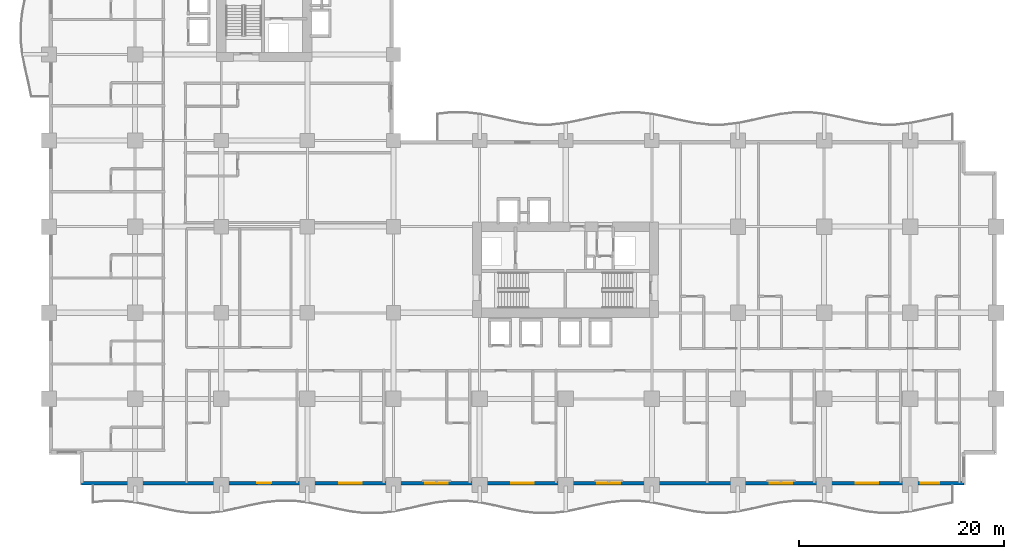
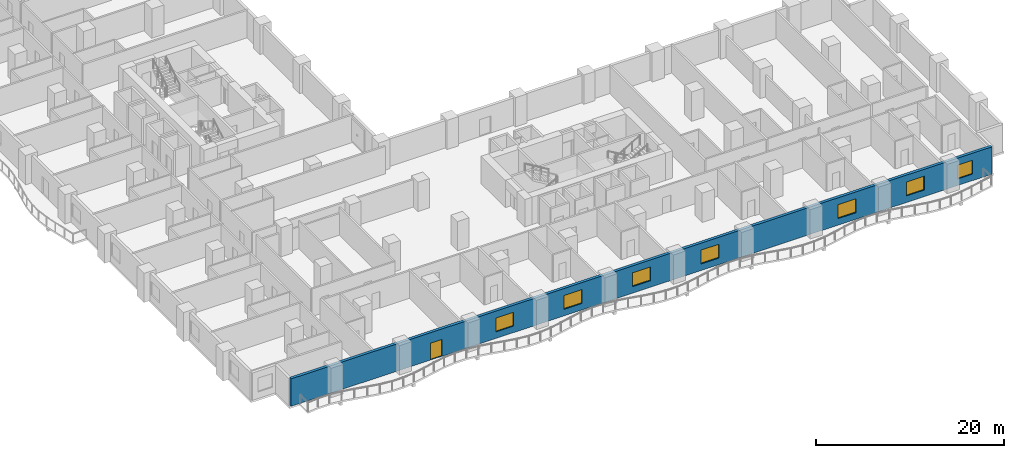
# One storey, part 5 of 20: 7 windows, 1 door, 1 wall, 8 openings.
"""IFC4 building model written with IfcOpenShell, lengths in metres."""

from ifc_helpers import new_model, si_unit, direction, frame, frame_2d, origin, place, context, subcontext, project, spatial, rectangle, extrude, material, layer, layer_set, type_object, element, fill, save


model = new_model("IFC4")

# Units and contexts
model_context = context("Model", 3, precision=1e-05, world=origin(), true_north=direction((0.0, 1.0)))
body_context = subcontext(model_context, "Body", "Model", "MODEL_VIEW")
ifc_project = project(units=[si_unit("LENGTHUNIT", "METRE"), si_unit("AREAUNIT", "SQUARE_METRE"), si_unit("VOLUMEUNIT", "CUBIC_METRE"), si_unit("PLANEANGLEUNIT", "RADIAN"), si_unit("MASSUNIT", "GRAM", prefix="KILO")], contexts=[model_context])

# Site, building, storey
site_placement = place(None, origin())
site = spatial("IfcSite", under=ifc_project, at=site_placement, CompositionType="ELEMENT")
building_placement = place(site_placement, origin())
building = spatial("IfcBuilding", under=site, at=building_placement, Name="Koriwani Terraces Tower", CompositionType="ELEMENT")
storey_placement = place(building_placement, frame((0.0, 0.0, 35.800048828125)))
storey = spatial("IfcBuildingStorey", under=building, at=storey_placement, Name="L07", CompositionType="ELEMENT", Elevation=35.800048828125)

# Wall, openings, door, windows
ifc_material_1 = material(Name="Concrete C50/60", Category="concrete")
ifc_layer = layer(ifc_material_1, 0.35009765625, Name="Concrete C50/60")
ifc_layer_set = layer_set([ifc_layer], Name="Concrete C50/60")
wall_type = type_object("IfcWallType", Name="WALL_EXT_BRUTALIST_350", PredefinedType="STANDARD", material=ifc_layer_set)
wall_placement = place(storey_placement, frame((89.22509765625, 0.175048828125, 0.0), z_axis=(0.0, 0.0, 1.0), x_axis=(-1.0, 0.0, 0.0)))
wall = element("IfcWall", 1, at=wall_placement, inside=storey, type_object=wall_type, Name="L07 Fair-Faced Brutalist Exterior Wall (S)", PredefinedType="STANDARD", context=body_context, shape_type="SweptSolid", body=[
    extrude(rectangle(XDim=86.050048828125, YDim=0.35009765625, at=frame_2d((43.02490234375, 0.0))), origin(), (0.0, 0.0, 1.0), 3.550048828125),
])
opening_1_placement = place(wall_placement, frame((67.52490234375, 0.0, 0.0)))
opening_1 = element("IfcOpeningElement", 2, at=opening_1_placement, cuts=wall, Name="Opening D-09", PredefinedType="OPENING", context=body_context, shape_type="SweptSolid", body=[
    extrude(rectangle(XDim=1.39990234375, YDim=2.199951171875, at=frame_2d((0.699951171875, 1.10009765625))), frame((0.0, 0.18505859375, 0.0), z_axis=(0.0, -1.0, 0.0), x_axis=(1.0, 0.0, 0.0)), (0.0, 0.0, 1.0), 0.3701171875),
])
opening_2_placement = place(wall_placement, frame((58.72509765625, 0.0, 0.85009765625)))
opening_2 = element("IfcOpeningElement", 3, at=opening_2_placement, cuts=wall, Name="Opening W-01", PredefinedType="OPENING", context=body_context, shape_type="SweptSolid", body=[
    extrude(rectangle(XDim=2.199951171875, YDim=1.800048828125, at=frame_2d((1.10009765625, 0.89990234375))), frame((0.0, 0.18505859375, 0.0), z_axis=(0.0, -1.0, 0.0), x_axis=(1.0, 0.0, 0.0)), (0.0, 0.0, 1.0), 0.3701171875),
])
opening_3_placement = place(wall_placement, frame((50.324951171875, 0.0, 0.85009765625)))
opening_3 = element("IfcOpeningElement", 4, at=opening_3_placement, cuts=wall, Name="Opening W-01", PredefinedType="OPENING", context=body_context, shape_type="SweptSolid", body=[
    extrude(rectangle(XDim=2.199951171875, YDim=1.800048828125, at=frame_2d((1.10009765625, 0.89990234375))), frame((0.0, 0.18505859375, 0.0), z_axis=(0.0, -1.0, 0.0), x_axis=(1.0, 0.0, 0.0)), (0.0, 0.0, 1.0), 0.3701171875),
])
opening_4_placement = place(wall_placement, frame((41.925048828125, 0.0, 0.85009765625)))
opening_4 = element("IfcOpeningElement", 5, at=opening_4_placement, cuts=wall, Name="Opening W-01", PredefinedType="OPENING", context=body_context, shape_type="SweptSolid", body=[
    extrude(rectangle(XDim=2.199951171875, YDim=1.800048828125, at=frame_2d((1.10009765625, 0.89990234375))), frame((0.0, 0.18505859375, 0.0), z_axis=(0.0, -1.0, 0.0), x_axis=(1.0, 0.0, 0.0)), (0.0, 0.0, 1.0), 0.3701171875),
])
opening_5_placement = place(wall_placement, frame((33.52490234375, 0.0, 0.85009765625)))
opening_5 = element("IfcOpeningElement", 6, at=opening_5_placement, cuts=wall, Name="Opening W-01", PredefinedType="OPENING", context=body_context, shape_type="SweptSolid", body=[
    extrude(rectangle(XDim=2.199951171875, YDim=1.800048828125, at=frame_2d((1.10009765625, 0.89990234375))), frame((0.0, 0.18505859375, 0.0), z_axis=(0.0, -1.0, 0.0), x_axis=(1.0, 0.0, 0.0)), (0.0, 0.0, 1.0), 0.3701171875),
])
opening_6_placement = place(wall_placement, frame((16.72509765625, 0.0, 0.85009765625)))
opening_6 = element("IfcOpeningElement", 7, at=opening_6_placement, cuts=wall, Name="Opening W-01", PredefinedType="OPENING", context=body_context, shape_type="SweptSolid", body=[
    extrude(rectangle(XDim=2.199951171875, YDim=1.800048828125, at=frame_2d((1.10009765625, 0.89990234375))), frame((0.0, 0.18505859375, 0.0), z_axis=(0.0, -1.0, 0.0), x_axis=(1.0, 0.0, 0.0)), (0.0, 0.0, 1.0), 0.3701171875),
])
opening_7_placement = place(wall_placement, frame((8.324951171875, 0.0, 0.85009765625)))
opening_7 = element("IfcOpeningElement", 8, at=opening_7_placement, cuts=wall, Name="Opening W-01", PredefinedType="OPENING", context=body_context, shape_type="SweptSolid", body=[
    extrude(rectangle(XDim=2.199951171875, YDim=1.800048828125, at=frame_2d((1.10009765625, 0.89990234375))), frame((0.0, 0.18505859375, 0.0), z_axis=(0.0, -1.0, 0.0), x_axis=(1.0, 0.0, 0.0)), (0.0, 0.0, 1.0), 0.3701171875),
])
opening_8_placement = place(wall_placement, frame((2.39990234375, 0.0, 0.85009765625)))
opening_8 = element("IfcOpeningElement", 9, at=opening_8_placement, cuts=wall, Name="Opening W-04", PredefinedType="OPENING", context=body_context, shape_type="SweptSolid", body=[
    extrude(rectangle(XDim=1.800048828125, YDim=1.800048828125, at=frame_2d((0.89990234375, 0.89990234375))), frame((0.0, 0.18505859375, 0.0), z_axis=(0.0, -1.0, 0.0), x_axis=(1.0, 0.0, 0.0)), (0.0, 0.0, 1.0), 0.3701171875),
])
ifc_material_2 = material(Name="Anodised Bronze Aluminium", Category="aluminium")
door_type = type_object("IfcDoorType", Name="DOOR_BALCONY_GLAZED_1400X2200", OperationType="NOTDEFINED", PredefinedType="DOOR", material=ifc_material_2)
door_placement = place(opening_1_placement, origin())
door = element("IfcDoor", 10, at=door_placement, inside=storey, type_object=door_type, Name="L07 South Balcony Glazed Door", OperationType="SINGLE_SWING_LEFT", OverallHeight=2.199951171875, OverallWidth=1.39990234375, PredefinedType="DOOR", context=body_context, shape_type="SweptSolid", body=[
    extrude(rectangle(XDim=1.39990234375, YDim=2.199951171875, at=frame_2d((0.699951171875, 1.10009765625))), frame((0.0, 0.02490234375, 0.0), z_axis=(0.0, -1.0, 0.0), x_axis=(1.0, 0.0, 0.0)), (0.0, 0.0, 1.0), 0.050048828125),
])
fill(opening_1, door)
ifc_material_3 = material(Name="Tempered Laminated Low-E Glass", Category="glass")
window_type_1 = type_object("IfcWindowType", Name="WIN_HOTEL_STD_2200X1800", PartitioningType="DOUBLE_PANEL_VERTICAL", PredefinedType="WINDOW", material=ifc_material_3)
window_1_placement = place(opening_2_placement, origin())
window_1 = element("IfcWindow", 11, at=window_1_placement, inside=storey, type_object=window_type_1, Name="L07 Exterior Window (S-9)", OverallHeight=1.800048828125, OverallWidth=2.199951171875, PartitioningType="SINGLE_PANEL", PredefinedType="WINDOW", context=body_context, shape_type="SweptSolid", body=[
    extrude(rectangle(XDim=2.199951171875, YDim=1.800048828125, at=frame_2d((1.10009765625, 0.89990234375))), frame((0.0, 0.030029296875, 0.0), z_axis=(0.0, -1.0, 0.0), x_axis=(1.0, 0.0, 0.0)), (0.0, 0.0, 1.0), 0.06005859375),
])
fill(opening_2, window_1)
window_2_placement = place(opening_3_placement, origin())
window_2 = element("IfcWindow", 12, at=window_2_placement, inside=storey, type_object=window_type_1, Name="L07 Exterior Window (S-12)", OverallHeight=1.800048828125, OverallWidth=2.199951171875, PartitioningType="SINGLE_PANEL", PredefinedType="WINDOW", context=body_context, shape_type="SweptSolid", body=[
    extrude(rectangle(XDim=2.199951171875, YDim=1.800048828125, at=frame_2d((1.10009765625, 0.89990234375))), frame((0.0, 0.030029296875, 0.0), z_axis=(0.0, -1.0, 0.0), x_axis=(1.0, 0.0, 0.0)), (0.0, 0.0, 1.0), 0.06005859375),
])
fill(opening_3, window_2)
window_3_placement = place(opening_4_placement, origin())
window_3 = element("IfcWindow", 13, at=window_3_placement, inside=storey, type_object=window_type_1, Name="L07 Exterior Window (S-15)", OverallHeight=1.800048828125, OverallWidth=2.199951171875, PartitioningType="SINGLE_PANEL", PredefinedType="WINDOW", context=body_context, shape_type="SweptSolid", body=[
    extrude(rectangle(XDim=2.199951171875, YDim=1.800048828125, at=frame_2d((1.10009765625, 0.89990234375))), frame((0.0, 0.030029296875, 0.0), z_axis=(0.0, -1.0, 0.0), x_axis=(1.0, 0.0, 0.0)), (0.0, 0.0, 1.0), 0.06005859375),
])
fill(opening_4, window_3)
window_4_placement = place(opening_5_placement, origin())
window_4 = element("IfcWindow", 14, at=window_4_placement, inside=storey, type_object=window_type_1, Name="L07 Exterior Window (S-18)", OverallHeight=1.800048828125, OverallWidth=2.199951171875, PartitioningType="SINGLE_PANEL", PredefinedType="WINDOW", context=body_context, shape_type="SweptSolid", body=[
    extrude(rectangle(XDim=2.199951171875, YDim=1.800048828125, at=frame_2d((1.10009765625, 0.89990234375))), frame((0.0, 0.030029296875, 0.0), z_axis=(0.0, -1.0, 0.0), x_axis=(1.0, 0.0, 0.0)), (0.0, 0.0, 1.0), 0.06005859375),
])
fill(opening_5, window_4)
window_5_placement = place(opening_6_placement, origin())
window_5 = element("IfcWindow", 15, at=window_5_placement, inside=storey, type_object=window_type_1, Name="L07 Exterior Window (S-24)", OverallHeight=1.800048828125, OverallWidth=2.199951171875, PartitioningType="SINGLE_PANEL", PredefinedType="WINDOW", context=body_context, shape_type="SweptSolid", body=[
    extrude(rectangle(XDim=2.199951171875, YDim=1.800048828125, at=frame_2d((1.10009765625, 0.89990234375))), frame((0.0, 0.030029296875, 0.0), z_axis=(0.0, -1.0, 0.0), x_axis=(1.0, 0.0, 0.0)), (0.0, 0.0, 1.0), 0.06005859375),
])
fill(opening_6, window_5)
window_6_placement = place(opening_7_placement, origin())
window_6 = element("IfcWindow", 16, at=window_6_placement, inside=storey, type_object=window_type_1, Name="L07 Exterior Window (S-27)", OverallHeight=1.800048828125, OverallWidth=2.199951171875, PartitioningType="SINGLE_PANEL", PredefinedType="WINDOW", context=body_context, shape_type="SweptSolid", body=[
    extrude(rectangle(XDim=2.199951171875, YDim=1.800048828125, at=frame_2d((1.10009765625, 0.89990234375))), frame((0.0, 0.030029296875, 0.0), z_axis=(0.0, -1.0, 0.0), x_axis=(1.0, 0.0, 0.0)), (0.0, 0.0, 1.0), 0.06005859375),
])
fill(opening_7, window_6)
window_type_2 = type_object("IfcWindowType", Name="WIN_RES_BED_1800X1800", PartitioningType="DOUBLE_PANEL_VERTICAL", PredefinedType="WINDOW", material=ifc_material_3)
window_7_placement = place(opening_8_placement, origin())
window_7 = element("IfcWindow", 17, at=window_7_placement, inside=storey, type_object=window_type_2, Name="L07 Exterior Window (S-R71)", OverallHeight=1.800048828125, OverallWidth=1.800048828125, PartitioningType="SINGLE_PANEL", PredefinedType="WINDOW", context=body_context, shape_type="SweptSolid", body=[
    extrude(rectangle(XDim=1.800048828125, YDim=1.800048828125, at=frame_2d((0.89990234375, 0.89990234375))), frame((0.0, 0.030029296875, 0.0), z_axis=(0.0, -1.0, 0.0), x_axis=(1.0, 0.0, 0.0)), (0.0, 0.0, 1.0), 0.06005859375),
])
fill(opening_8, window_7)

save(model, "model.ifc")
